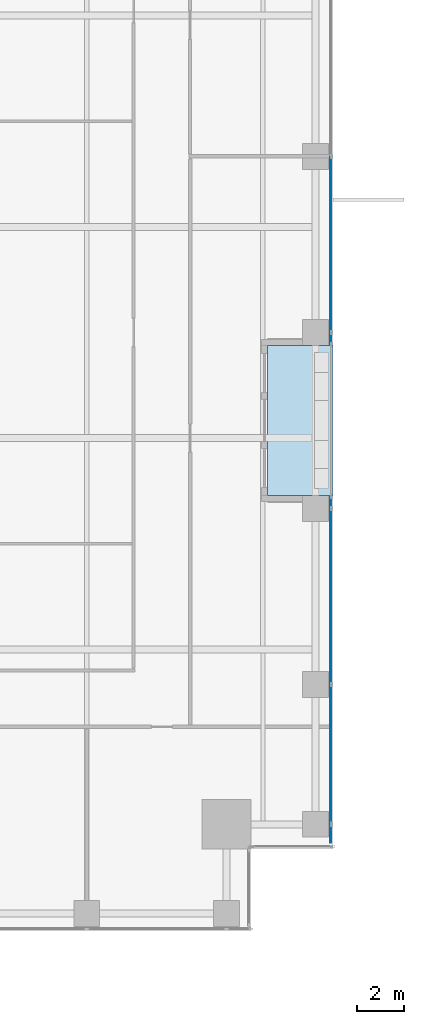
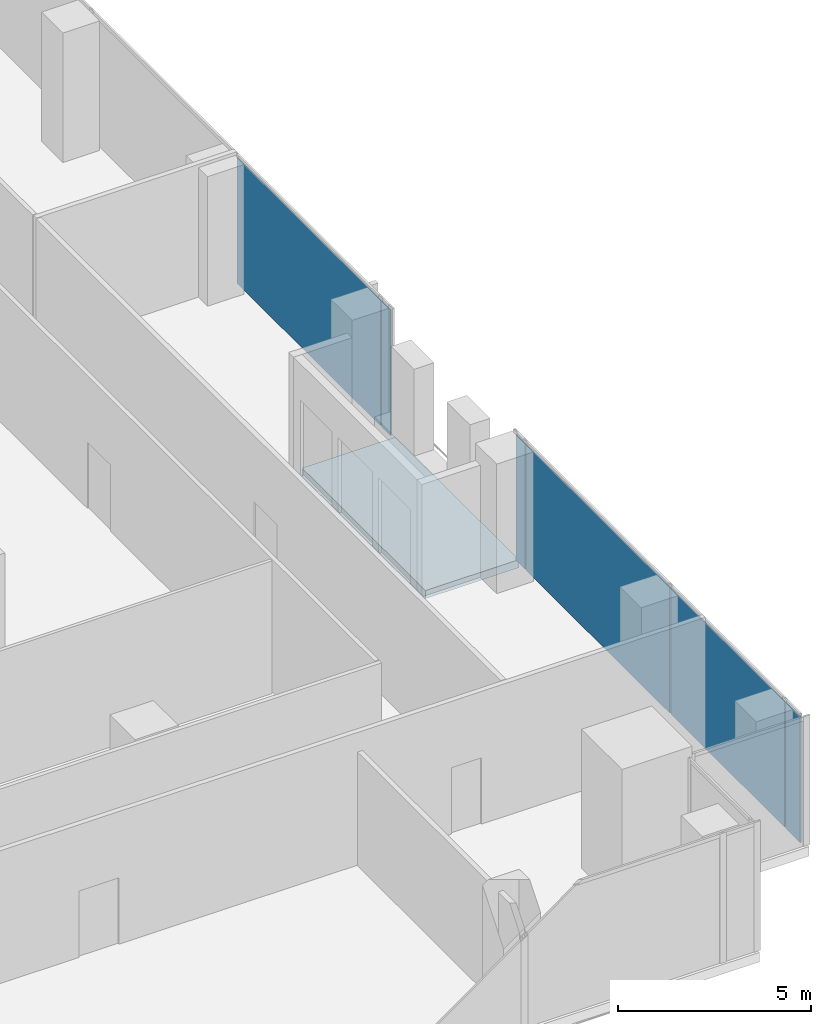
# One storey, part 25 of 34: 6 plates, 1 slab, 2 elements without a shape of their own.
"""IFC4 building model written with IfcOpenShell, lengths in metres."""

from ifc_helpers import new_model, si_unit, direction, frame, origin, origin_2d, place, context, subcontext, project, spatial, polyline, rectangle, outline, extrude, source, transform, mapped, material, layer, layer_set, type_object, element, aggregate, save


model = new_model("IFC4")

# Units and contexts
model_context = context("Model", 3, precision=1e-05, world=origin(), true_north=direction((0.0, 1.0)))
body_context = subcontext(model_context, "Body", "Model", "MODEL_VIEW")
ifc_project = project(units=[si_unit("LENGTHUNIT", "METRE"), si_unit("AREAUNIT", "SQUARE_METRE"), si_unit("VOLUMEUNIT", "CUBIC_METRE"), si_unit("PLANEANGLEUNIT", "RADIAN"), si_unit("MASSUNIT", "GRAM", prefix="KILO")], contexts=[model_context])

# Site, building, storey
site_placement = place(None, origin())
site = spatial("IfcSite", under=ifc_project, at=site_placement, CompositionType="ELEMENT")
building_placement = place(site_placement, origin())
building = spatial("IfcBuilding", under=site, at=building_placement, Name="Khomas Fold Tower", CompositionType="ELEMENT")
storey_placement = place(building_placement, frame((0.0, 0.0, 145.5)))
storey = spatial("IfcBuildingStorey", under=building, at=storey_placement, Name="L31", CompositionType="ELEMENT", Elevation=145.5)

# Curtain wall, plates
ifc_material_1 = material(Name="Aluminium framed double glazing", Category="aluminium")
curtain_wall_type = type_object("IfcCurtainWallType", Name="SK-Unitised clear-glass wall, growing floors CW1", PredefinedType="NOTDEFINED", material=ifc_material_1)
curtain_wall_1_placement = place(storey_placement, origin())
curtain_wall_1 = element("IfcCurtainWall", 1, at=curtain_wall_1_placement, inside=storey, type_object=curtain_wall_type, Name="CW1 run L31 03-0", PredefinedType="NOTDEFINED")
ifc_material_2 = material(Name="Clear double glazed unit")
ifc_layer_1 = layer(ifc_material_2, 0.031982421875)
ifc_layer_set_1 = layer_set([ifc_layer_1], Name="Clear double glazed unit")
plate_type = type_object("IfcPlateType", Name="SK-Unitised clear-glass wall, growing floors glass panel CW1-P", PredefinedType="CURTAIN_PANEL", material=ifc_layer_set_1)
shared_shape_1 = source(origin(), body_context, "Body", "SweptSolid", [
    extrude(rectangle(XDim=0.760009765625, YDim=0.031982421875, at=origin_2d()), origin(), (0.0, 0.0, 1.0), 3.97998046875),
])
plate_1_placement = place(storey_placement, frame((52.39990234375, 5.639892578125, 0.0), z_axis=(0.0, 0.0, 1.0), x_axis=(0.0, 1.0, 0.0)))
plate_1 = element("IfcPlate", 2, at=plate_1_placement, type_object=plate_type, Name="CW1 glass panel 1", PredefinedType="CURTAIN_PANEL", context=body_context, shape_type="MappedRepresentation", body=[
    mapped(shared_shape_1, transform((0.0, 0.0, 0.0))),
])
shared_shape_2 = source(origin(), body_context, "Body", "SweptSolid", [
    extrude(rectangle(XDim=5.889892578125, YDim=0.031982421875, at=origin_2d()), origin(), (0.0, 0.0, 1.0), 3.97998046875),
])
plate_2_placement = place(storey_placement, frame((52.39990234375, 9.02490234375, 0.0), z_axis=(0.0, 0.0, 1.0), x_axis=(0.0, 1.0, 0.0)))
plate_2 = element("IfcPlate", 3, at=plate_2_placement, type_object=plate_type, Name="CW1 glass panel 2", PredefinedType="CURTAIN_PANEL", context=body_context, shape_type="MappedRepresentation", body=[
    mapped(shared_shape_2, transform((0.0, 0.0, 0.0))),
])
shared_shape_3 = source(origin(), body_context, "Body", "SweptSolid", [
    extrude(rectangle(XDim=7.43994140625, YDim=0.031982421875, at=origin_2d()), origin(), (0.0, 0.0, 1.0), 3.97998046875),
])
plate_3_placement = place(storey_placement, frame((52.39990234375, 15.75, 0.0), z_axis=(0.0, 0.0, 1.0), x_axis=(0.0, 1.0, 0.0)))
plate_3 = element("IfcPlate", 4, at=plate_3_placement, type_object=plate_type, Name="CW1 glass panel 3", PredefinedType="CURTAIN_PANEL", context=body_context, shape_type="MappedRepresentation", body=[
    mapped(shared_shape_3, transform((0.0, 0.0, 0.0))),
])

# Curtain wall, plate
curtain_wall_2_placement = place(storey_placement, origin())
curtain_wall_2 = element("IfcCurtainWall", 5, at=curtain_wall_2_placement, inside=storey, type_object=curtain_wall_type, Name="CW1 run L31 03-1", PredefinedType="NOTDEFINED")
plate_4_placement = place(storey_placement, frame((52.39990234375, 30.75, 0.0), z_axis=(0.0, 0.0, 1.0), x_axis=(0.0, 1.0, 0.0)))
plate_4 = element("IfcPlate", 6, at=plate_4_placement, type_object=plate_type, Name="CW1 glass panel 2", PredefinedType="CURTAIN_PANEL", context=body_context, shape_type="MappedRepresentation", body=[
    mapped(shared_shape_3, transform((0.0, 0.0, 0.0))),
])

# Plate
shared_shape_4 = source(origin(), body_context, "Body", "SweptSolid", [
    extrude(rectangle(XDim=0.4599609375, YDim=0.031982421875, at=origin_2d()), origin(), (0.0, 0.0, 1.0), 3.97998046875),
])
plate_5_placement = place(storey_placement, frame((52.39990234375, 19.760009765625, 0.0), z_axis=(0.0, 0.0, 1.0), x_axis=(0.0, 1.0, 0.0)))
plate_5 = element("IfcPlate", 7, at=plate_5_placement, type_object=plate_type, Name="CW1 glass panel 4", PredefinedType="CURTAIN_PANEL", context=body_context, shape_type="MappedRepresentation", body=[
    mapped(shared_shape_4, transform((0.0, 0.0, 0.0))),
])

aggregate(curtain_wall_1, [plate_1, plate_2, plate_3, plate_5])

plate_6_placement = place(storey_placement, frame((52.39990234375, 26.739990234375, 0.0), z_axis=(0.0, 0.0, 1.0), x_axis=(0.0, 1.0, 0.0)))
plate_6 = element("IfcPlate", 8, at=plate_6_placement, type_object=plate_type, Name="CW1 glass panel 1", PredefinedType="CURTAIN_PANEL", context=body_context, shape_type="MappedRepresentation", body=[
    mapped(shared_shape_4, transform((0.0, 0.0, 0.0))),
])

aggregate(curtain_wall_2, [plate_6, plate_4])

# Slab
ifc_material_3 = material(Name="Concrete C40/50", Category="concrete")
ifc_layer_2 = layer(ifc_material_3, 0.2548828125)
ifc_layer_set_2 = layer_set([ifc_layer_2], Name="Concrete C40/50")
slab_type = type_object("IfcSlabType", Name="BL-Balcony deck 255", PredefinedType="FLOOR", material=ifc_layer_set_2)
shared_shape_5 = source(origin(), body_context, "Body", "SweptSolid", [
    extrude(outline(polyline([(49.699951171875, 20.050048828125), (52.5, 20.050048828125), (52.5, 26.449951171875), (49.699951171875, 26.449951171875), (49.699951171875, 20.050048828125)])), origin(), (0.0, 0.0, 1.0), 0.255126953125),
])
slab_placement = place(storey_placement, frame((0.0, 0.0, -0.300048828125)))
element("IfcSlab", 9, at=slab_placement, inside=storey, type_object=slab_type, Name="Balcony deck BAL-L31-E2", PredefinedType="FLOOR", context=body_context, shape_type="MappedRepresentation", body=[
    mapped(shared_shape_5, transform((0.0, 0.0, 0.0))),
])

save(model, "model.ifc")
